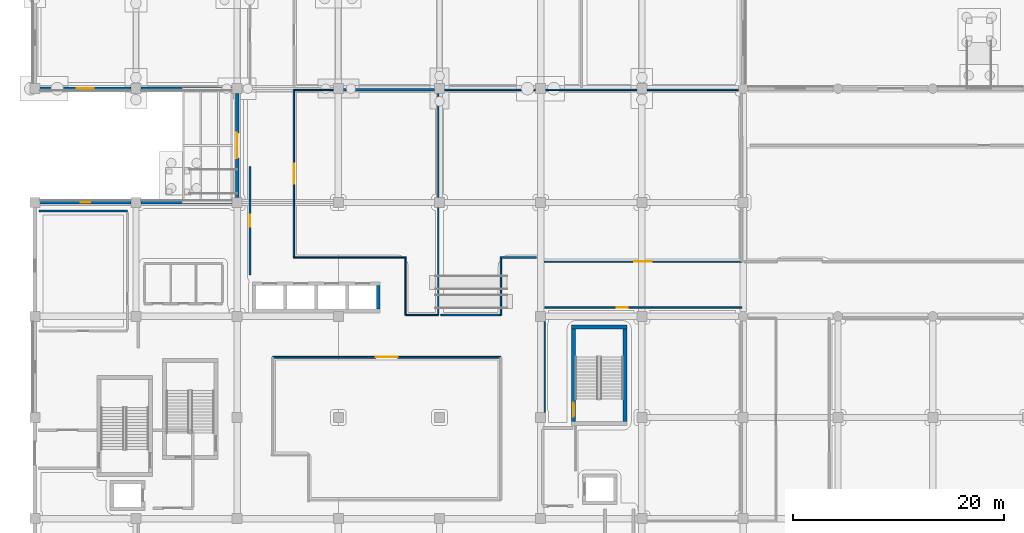
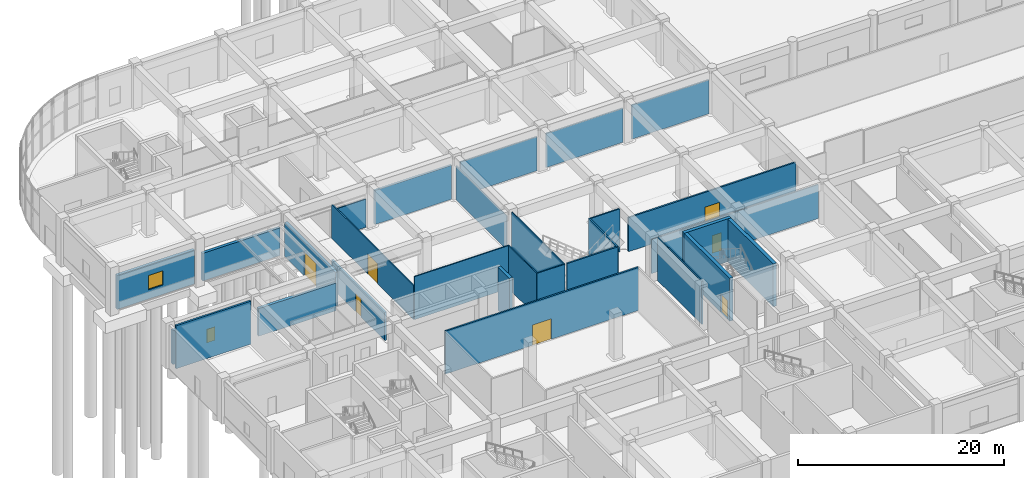
# One storey, part 30 of 74: 29 walls, 7 doors, 2 windows, 9 openings.
"""IFC4 building model written with IfcOpenShell, lengths in metres."""

from ifc_helpers import new_model, si_unit, direction, frame, frame_2d, origin, place, context, subcontext, project, spatial, rectangle, extrude, material, layer, layer_set, type_object, element, fill, save


model = new_model("IFC4")

# Units and contexts
model_context = context("Model", 3, precision=1e-05, world=origin(), true_north=direction((0.0, 1.0)))
body_context = subcontext(model_context, "Body", "Model", "MODEL_VIEW")
ifc_project = project(units=[si_unit("LENGTHUNIT", "METRE"), si_unit("AREAUNIT", "SQUARE_METRE"), si_unit("VOLUMEUNIT", "CUBIC_METRE"), si_unit("PLANEANGLEUNIT", "RADIAN"), si_unit("MASSUNIT", "GRAM", prefix="KILO")], contexts=[model_context])

# Site, building, storey
site_placement = place(None, origin())
site = spatial("IfcSite", under=ifc_project, at=site_placement, CompositionType="ELEMENT")
building_placement = place(site_placement, origin())
building = spatial("IfcBuilding", under=site, at=building_placement, Name="Cendralis Terraced Arcade", CompositionType="ELEMENT")
storey_placement = place(building_placement, origin())
storey = spatial("IfcBuildingStorey", under=building, at=storey_placement, Name="L00", CompositionType="ELEMENT", Elevation=0.0)

# Wall, opening, door
ifc_material_1 = material(Name="Gypsum plasterboard acoustic partition", Category="concrete")
ifc_layer_1 = layer(ifc_material_1, 0.205078125, Name="WL-ACOU-205")
ifc_layer_set_1 = layer_set([ifc_layer_1], Name="Gypsum plasterboard acoustic partition")
wall_type_1 = type_object("IfcWallType", Name="WL-ACOU-205", PredefinedType="PARTITIONING", material=ifc_layer_set_1)
wall_1_placement = place(storey_placement, frame((20.419921875, 52.618408203125, 0.0), z_axis=(0.0, 0.0, 1.0), x_axis=(0.0, -1.0, 0.0)))
wall_1 = element("IfcWall", 1, at=wall_1_placement, inside=storey, type_object=wall_type_1, Name="Interior Partition Wall IW-L00-0207", PredefinedType="PARTITIONING", context=body_context, shape_type="SweptSolid", body=[
    extrude(rectangle(XDim=10.3134765625, YDim=0.205078125, at=frame_2d((5.15673828125, 0.0))), origin(), (0.0, 0.0, 1.0), 3.330078125),
])
opening_1_placement = place(wall_1_placement, frame((4.5966796875, 0.0, 0.0)))
opening_1 = element("IfcOpeningElement", 2, at=opening_1_placement, cuts=wall_1, Name="Opening D-L00-063", PredefinedType="OPENING", context=body_context, shape_type="SweptSolid", body=[
    extrude(rectangle(XDim=1.1201171875, YDim=2.179931640625, at=frame_2d((0.56005859375, 1.08984375))), frame((0.0, 0.114501953125, 0.0), z_axis=(0.0, -1.0, 0.0), x_axis=(1.0, 0.0, 0.0)), (0.0, 0.0, 1.0), 0.22900390625),
])
ifc_material_2 = material(Name="Solid core Andean oak veneer door leaf", Category="aluminium")
door_type_1 = type_object("IfcDoorType", Name="ID-RM-1120x2180", OperationType="NOTDEFINED", PredefinedType="DOOR", material=ifc_material_2)
door_1_placement = place(opening_1_placement, origin())
door_1 = element("IfcDoor", 3, at=door_1_placement, inside=storey, type_object=door_type_1, Name="Cosmetics and Perfumery Sales Floor Door D-L00-063", OperationType="SINGLE_SWING_RIGHT", OverallHeight=2.179931640625, OverallWidth=1.1201171875, PredefinedType="DOOR", context=body_context, shape_type="SweptSolid", body=[
    extrude(rectangle(XDim=1.1201171875, YDim=2.179931640625, at=frame_2d((0.56005859375, 1.08984375))), frame((0.0, 0.02490234375, 0.0), z_axis=(0.0, -1.0, 0.0), x_axis=(1.0, 0.0, 0.0)), (0.0, 0.0, 1.0), 0.050048828125),
])
fill(opening_1, door_1)

# Walls
ifc_material_3 = material(Name="Autoclaved aerated concrete blockwork", Category="masonry")
ifc_layer_2 = layer(ifc_material_3, 0.22802734375, Name="WL-ACOU-228")
ifc_layer_set_2 = layer_set([ifc_layer_2], Name="Autoclaved aerated concrete blockwork")
wall_type_2 = type_object("IfcWallType", Name="WL-ACOU-228", PredefinedType="PARTITIONING", material=ifc_layer_set_2)
wall_2_placement = place(storey_placement, frame((29.294921875, 59.8798828125, 0.0), z_axis=(0.0, 0.0, 1.0), x_axis=(1.0, 0.0, 0.0)))
element("IfcWall", 4, at=wall_2_placement, inside=storey, type_object=wall_type_2, Name="Interior Partition Wall IW-L00-0206", PredefinedType="PARTITIONING", context=body_context, shape_type="SweptSolid", body=[
    extrude(rectangle(XDim=8.610107421875, YDim=0.22802734375, at=frame_2d((4.30517578125, 0.0))), origin(), (0.0, 0.0, 1.0), 4.030029296875),
])
ifc_material_4 = material(Name="Concrete f'c 42 MPa", Category="concrete")
ifc_layer_3 = layer(ifc_material_4, 0.340087890625, Name="WL-CORE-340")
ifc_layer_set_3 = layer_set([ifc_layer_3], Name="Concrete f'c 42 MPa")
wall_type_3 = type_object("IfcWallType", Name="WL-CORE-340", PredefinedType="SHEAR", material=ifc_layer_set_3)
wall_3_placement = place(storey_placement, frame((32.590087890625, 39.074951171875, 0.0), z_axis=(0.0, 0.0, 1.0), x_axis=(0.0, 1.0, 0.0)))
element("IfcWall", 5, at=wall_3_placement, inside=storey, type_object=wall_type_3, Name="Lift PL-04 Reinforced Concrete Shaft Wall (L00)", PredefinedType="SHEAR", context=body_context, shape_type="SweptSolid", body=[
    extrude(rectangle(XDim=2.25, YDim=0.340087890625, at=frame_2d((1.125, 0.0))), origin(), (0.0, 0.0, 1.0), 5.090087890625),
])
ifc_layer_4 = layer(ifc_material_4, 0.3798828125, Name="WL-CORE-380")
ifc_layer_set_4 = layer_set([ifc_layer_4], Name="Concrete f'c 42 MPa")
wall_type_4 = type_object("IfcWallType", Name="WL-CORE-380", PredefinedType="SHEAR", material=ifc_layer_set_4)
wall_4_placement = place(storey_placement, frame((50.919921875, 37.389892578125, 0.0), z_axis=(0.0, 0.0, 1.0), x_axis=(1.0, 0.0, 0.0)))
element("IfcWall", 6, at=wall_4_placement, inside=storey, type_object=wall_type_4, Name="Stair Core Reinforced Concrete Shear Wall SW-ST-04-L00-N", PredefinedType="SHEAR", context=body_context, shape_type="SweptSolid", body=[
    extrude(rectangle(XDim=5.260009765625, YDim=0.3798828125, at=frame_2d((2.6298828125, 0.0))), origin(), (0.0, 0.0, 1.0), 5.090087890625),
])
wall_5_placement = place(storey_placement, frame((55.989990234375, 28.39990234375, 0.0), z_axis=(0.0, 0.0, 1.0), x_axis=(0.0, 1.0, 0.0)))
element("IfcWall", 7, at=wall_5_placement, inside=storey, type_object=wall_type_4, Name="Stair Core Reinforced Concrete Shear Wall SW-ST-04-L00-E", PredefinedType="SHEAR", context=body_context, shape_type="SweptSolid", body=[
    extrude(rectangle(XDim=8.800048828125, YDim=0.3798828125, at=frame_2d((4.39990234375, 0.0))), origin(), (0.0, 0.0, 1.0), 5.090087890625),
])

# Wall, opening, door
wall_6_placement = place(storey_placement, frame((51.110107421875, 28.39990234375, 0.0), z_axis=(0.0, 0.0, 1.0), x_axis=(0.0, 1.0, 0.0)))
wall_6 = element("IfcWall", 8, at=wall_6_placement, inside=storey, type_object=wall_type_4, Name="Stair Core Reinforced Concrete Shear Wall SW-ST-04-L00-W", PredefinedType="SHEAR", context=body_context, shape_type="SweptSolid", body=[
    extrude(rectangle(XDim=8.800048828125, YDim=0.3798828125, at=frame_2d((4.39990234375, 0.0))), origin(), (0.0, 0.0, 1.0), 5.090087890625),
])
opening_2_placement = place(wall_6_placement, frame((0.449951171875, 0.0, 0.0)))
opening_2 = element("IfcOpeningElement", 9, at=opening_2_placement, cuts=wall_6, Name="Opening D-ST-04-L00", PredefinedType="OPENING", context=body_context, shape_type="SweptSolid", body=[
    extrude(rectangle(XDim=1.35009765625, YDim=2.199951171875, at=frame_2d((0.675048828125, 1.10009765625))), frame((0.0, 0.201904296875, 0.0), z_axis=(0.0, -1.0, 0.0), x_axis=(1.0, 0.0, 0.0)), (0.0, 0.0, 1.0), 0.40380859375),
])
ifc_material_5 = material(Name="Galvanised fire-rated steel door assembly", Category="steel")
door_type_2 = type_object("IfcDoorType", Name="ID-ST-1350x2200", OperationType="NOTDEFINED", PredefinedType="DOOR", material=ifc_material_5)
door_2_placement = place(opening_2_placement, frame((1.35009765625, 0.0, 0.0), z_axis=(0.0, 0.0, 1.0), x_axis=(-1.0, 0.0, 0.0)))
door_2 = element("IfcDoor", 10, at=door_2_placement, inside=storey, type_object=door_type_2, Name="Protected Stair ST-04 Fire Door (L00)", OperationType="SINGLE_SWING_RIGHT", OverallHeight=2.199951171875, OverallWidth=1.35009765625, PredefinedType="DOOR", context=body_context, shape_type="SweptSolid", body=[
    extrude(rectangle(XDim=1.35009765625, YDim=2.199951171875, at=frame_2d((0.675048828125, 1.10009765625))), frame((0.0, 0.02490234375, 0.0), z_axis=(0.0, -1.0, 0.0), x_axis=(1.0, 0.0, 0.0)), (0.0, 0.0, 1.0), 0.050048828125),
])
fill(opening_2, door_2)

# Wall, opening, window
ifc_material_6 = material(Name="Precast concrete f'c 40 MPa", Category="concrete")
ifc_layer_5 = layer(ifc_material_6, 0.320068359375, Name="WL-EXT-GRC-320")
ifc_layer_set_5 = layer_set([ifc_layer_5], Name="Precast concrete f'c 40 MPa")
wall_type_5 = type_object("IfcWallType", Name="WL-EXT-GRC-320", PredefinedType="SOLIDWALL", material=ifc_layer_set_5)
wall_7_placement = place(storey_placement, frame((0.472900390625, 49.199951171875, 0.0), z_axis=(0.0, 0.0, 1.0), x_axis=(1.0, 0.0, 0.0)))
wall_7 = element("IfcWall", 11, at=wall_7_placement, inside=storey, type_object=wall_type_5, Name="Exterior Architectural Wall EW-L00-0020", PredefinedType="SOLIDWALL", context=body_context, shape_type="SweptSolid", body=[
    extrude(rectangle(XDim=8.654052734375, YDim=0.320068359375, at=frame_2d((4.3271484375, 0.0))), origin(), (0.0, 0.0, 1.0), 4.030029296875),
])
opening_3_placement = place(wall_7_placement, frame((3.876953125, 0.0, 1.14990234375)))
opening_3 = element("IfcOpeningElement", 12, at=opening_3_placement, cuts=wall_7, Name="Opening W-24", PredefinedType="OPENING", context=body_context, shape_type="SweptSolid", body=[
    extrude(rectangle(XDim=0.89990234375, YDim=1.60009765625, at=frame_2d((0.449951171875, 0.800048828125))), frame((0.0, 0.171875, 0.0), z_axis=(0.0, -1.0, 0.0), x_axis=(1.0, 0.0, 0.0)), (0.0, 0.0, 1.0), 0.343994140625),
])
ifc_material_7 = material(Name="Tempered solar control laminated glass", Category="glass")
window_type_1 = type_object("IfcWindowType", Name="WN-ST-0900x1600", PartitioningType="SINGLE_PANEL", PredefinedType="WINDOW", material=ifc_material_7)
window_1_placement = place(opening_3_placement, origin())
window_1 = element("IfcWindow", 13, at=window_1_placement, inside=storey, type_object=window_type_1, Name="Exterior Solar-Control Window WN-L00-0009", OverallHeight=1.60009765625, OverallWidth=0.89990234375, PartitioningType="SINGLE_PANEL", PredefinedType="WINDOW", context=body_context, shape_type="SweptSolid", body=[
    extrude(rectangle(XDim=0.89990234375, YDim=1.60009765625, at=frame_2d((0.449951171875, 0.800048828125))), frame((0.0, 0.030029296875, 0.0), z_axis=(0.0, -1.0, 0.0), x_axis=(1.0, 0.0, 0.0)), (0.0, 0.0, 1.0), 0.06005859375),
])
fill(opening_3, window_1)

# Wall
wall_8_placement = place(storey_placement, frame((10.072998046875, 49.199951171875, 0.0), z_axis=(0.0, 0.0, 1.0), x_axis=(1.0, 0.0, 0.0)))
element("IfcWall", 14, at=wall_8_placement, inside=storey, type_object=wall_type_5, Name="Exterior Architectural Wall EW-L00-0021", PredefinedType="SOLIDWALL", context=body_context, shape_type="SweptSolid", body=[
    extrude(rectangle(XDim=8.654052734375, YDim=0.320068359375, at=frame_2d((4.3271484375, 0.0))), origin(), (0.0, 0.0, 1.0), 3.277099609375),
])

# Wall, opening, door
wall_9_placement = place(storey_placement, frame((19.199951171875, 49.675048828125, 0.0), z_axis=(0.0, 0.0, 1.0), x_axis=(0.0, 1.0, 0.0)))
wall_9 = element("IfcWall", 15, at=wall_9_placement, inside=storey, type_object=wall_type_5, Name="Exterior Architectural Wall EW-L00-0022", PredefinedType="SOLIDWALL", context=body_context, shape_type="SweptSolid", body=[
    extrude(rectangle(XDim=9.849853515625, YDim=0.320068359375, at=frame_2d((4.9248046875, 0.0))), origin(), (0.0, 0.0, 1.0), 4.030029296875),
])
opening_4_placement = place(wall_9_placement, frame((3.72509765625, 0.0, 0.0)))
opening_4 = element("IfcOpeningElement", 16, at=opening_4_placement, cuts=wall_9, Name="Opening EX-09", PredefinedType="OPENING", context=body_context, shape_type="SweptSolid", body=[
    extrude(rectangle(XDim=2.39990234375, YDim=2.800048828125, at=frame_2d((1.199951171875, 1.39990234375))), frame((0.0, 0.171875, 0.0), z_axis=(0.0, -1.0, 0.0), x_axis=(1.0, 0.0, 0.0)), (0.0, 0.0, 1.0), 0.343994140625),
])
ifc_material_8 = material(Name="Powder-coated thermally broken aluminium and glass", Category="aluminium")
door_type_3 = type_object("IfcDoorType", Name="ED-PORTAL-2400x2800", OperationType="DOUBLE_DOOR_SINGLE_SWING", PredefinedType="DOOR", material=ifc_material_8)
door_3_placement = place(opening_4_placement, origin())
door_3 = element("IfcDoor", 17, at=door_3_placement, inside=storey, type_object=door_type_3, Name="West Arcade Portal Main Entrance EX-09", OperationType="DOUBLE_DOOR_SINGLE_SWING", OverallHeight=2.800048828125, OverallWidth=2.39990234375, PredefinedType="DOOR", context=body_context, shape_type="SweptSolid", body=[
    extrude(rectangle(XDim=2.39990234375, YDim=2.800048828125, at=frame_2d((1.199951171875, 1.39990234375))), frame((0.0, 0.02490234375, 0.0), z_axis=(0.0, -1.0, 0.0), x_axis=(1.0, 0.0, 0.0)), (0.0, 0.0, 1.0), 0.050048828125),
])
fill(opening_4, door_3)

# Wall
wall_10_placement = place(storey_placement, frame((18.72705078125, 60.0, 0.0), z_axis=(0.0, 0.0, 1.0), x_axis=(-1.0, 0.0, 0.0)))
element("IfcWall", 18, at=wall_10_placement, inside=storey, type_object=wall_type_5, Name="Exterior Architectural Wall EW-L00-0023", PredefinedType="SOLIDWALL", context=body_context, shape_type="SweptSolid", body=[
    extrude(rectangle(XDim=8.654052734375, YDim=0.320068359375, at=frame_2d((4.3271484375, 0.0))), origin(), (0.0, 0.0, 1.0), 3.277099609375),
])

# Wall, opening, window
wall_11_placement = place(storey_placement, frame((9.126953125, 60.0, 0.0), z_axis=(0.0, 0.0, 1.0), x_axis=(-1.0, 0.0, 0.0)))
wall_11 = element("IfcWall", 19, at=wall_11_placement, inside=storey, type_object=wall_type_5, Name="Exterior Architectural Wall EW-L00-0024", PredefinedType="SOLIDWALL", context=body_context, shape_type="SweptSolid", body=[
    extrude(rectangle(XDim=8.654052734375, YDim=0.320068359375, at=frame_2d((4.3271484375, 0.0))), origin(), (0.0, 0.0, 1.0), 4.030029296875),
])
opening_5_placement = place(wall_11_placement, frame((3.527099609375, 0.0, 1.10009765625)))
opening_5 = element("IfcOpeningElement", 20, at=opening_5_placement, cuts=wall_11, Name="Opening W-28", PredefinedType="OPENING", context=body_context, shape_type="SweptSolid", body=[
    extrude(rectangle(XDim=1.60009765625, YDim=1.699951171875, at=frame_2d((0.800048828125, 0.85009765625))), frame((0.0, 0.171875, 0.0), z_axis=(0.0, -1.0, 0.0), x_axis=(1.0, 0.0, 0.0)), (0.0, 0.0, 1.0), 0.343994140625),
])
window_type_2 = type_object("IfcWindowType", Name="WN-F3-1600x1700", PartitioningType="SINGLE_PANEL", PredefinedType="WINDOW", material=ifc_material_7)
window_2_placement = place(opening_5_placement, origin())
window_2 = element("IfcWindow", 21, at=window_2_placement, inside=storey, type_object=window_type_2, Name="Exterior Solar-Control Window WN-L00-0010", OverallHeight=1.699951171875, OverallWidth=1.60009765625, PartitioningType="SINGLE_PANEL", PredefinedType="WINDOW", context=body_context, shape_type="SweptSolid", body=[
    extrude(rectangle(XDim=1.60009765625, YDim=1.699951171875, at=frame_2d((0.800048828125, 0.85009765625))), frame((0.0, 0.030029296875, 0.0), z_axis=(0.0, -1.0, 0.0), x_axis=(1.0, 0.0, 0.0)), (0.0, 0.0, 1.0), 0.06005859375),
])
fill(opening_5, window_2)

# Walls
ifc_layer_6 = layer(ifc_material_3, 0.215087890625, Name="WL-FIRE-215")
ifc_layer_set_6 = layer_set([ifc_layer_6], Name="Autoclaved aerated concrete blockwork")
wall_type_6 = type_object("IfcWallType", Name="WL-FIRE-215", PredefinedType="PARTITIONING", material=ifc_layer_set_6)
wall_12_placement = place(storey_placement, frame((0.39990234375, 48.39990234375, 0.0), z_axis=(0.0, 0.0, 1.0), x_axis=(1.0, 0.0, 0.0)))
element("IfcWall", 22, at=wall_12_placement, inside=storey, type_object=wall_type_6, Name="Fire Command Room 2-Hour Rated Wall N", PredefinedType="PARTITIONING", context=body_context, shape_type="SweptSolid", body=[
    extrude(rectangle(XDim=8.400146484375, YDim=0.215087890625, at=frame_2d((4.2001953125, 0.0))), origin(), (0.0, 0.0, 1.0), 5.090087890625),
])
ifc_layer_7 = layer(ifc_material_1, 0.10791015625, Name="WL-PART-108")
ifc_layer_set_7 = layer_set([ifc_layer_7], Name="Gypsum plasterboard acoustic partition")
wall_type_7 = type_object("IfcWallType", Name="WL-PART-108", PredefinedType="PARTITIONING", material=ifc_layer_set_7)
wall_13_placement = place(storey_placement, frame((38.280029296875, 59.5048828125, 0.0), z_axis=(0.0, 0.0, 1.0), x_axis=(0.0, -1.0, 0.0)))
element("IfcWall", 23, at=wall_13_placement, inside=storey, type_object=wall_type_7, Name="Interior Partition Wall IW-L00-0205", PredefinedType="PARTITIONING", context=body_context, shape_type="SweptSolid", body=[
    extrude(rectangle(XDim=9.809814453125, YDim=0.10791015625, at=frame_2d((4.90478515625, 0.0))), origin(), (0.0, 0.0, 1.0), 4.030029296875),
])
ifc_layer_8 = layer(ifc_material_1, 0.112060546875, Name="WL-PART-112")
ifc_layer_set_8 = layer_set([ifc_layer_8], Name="Gypsum plasterboard acoustic partition")
wall_type_8 = type_object("IfcWallType", Name="WL-PART-112", PredefinedType="PARTITIONING", material=ifc_layer_set_8)
wall_14_placement = place(storey_placement, frame((38.280029296875, 48.705078125, 0.0), z_axis=(0.0, 0.0, 1.0), x_axis=(0.0, -1.0, 0.0)))
element("IfcWall", 24, at=wall_14_placement, inside=storey, type_object=wall_type_8, Name="Interior Partition Wall IW-L00-0204", PredefinedType="PARTITIONING", context=body_context, shape_type="SweptSolid", body=[
    extrude(rectangle(XDim=10.18505859375, YDim=0.112060546875, at=frame_2d((5.092529296875, 0.0))), origin(), (0.0, 0.0, 1.0), 5.090087890625),
])
ifc_layer_9 = layer(ifc_material_1, 0.114990234375, Name="WL-PART-115")
ifc_layer_set_9 = layer_set([ifc_layer_9], Name="Gypsum plasterboard acoustic partition")
wall_type_9 = type_object("IfcWallType", Name="WL-PART-115", PredefinedType="PARTITIONING", material=ifc_layer_set_9)
wall_15_placement = place(storey_placement, frame((38.280029296875, 38.52001953125, 0.0), z_axis=(0.0, 0.0, 1.0), x_axis=(-1.0, 0.0, 0.0)))
element("IfcWall", 25, at=wall_15_placement, inside=storey, type_object=wall_type_9, Name="Interior Partition Wall IW-L00-0203", PredefinedType="PARTITIONING", context=body_context, shape_type="SweptSolid", body=[
    extrude(rectangle(XDim=3.10009765625, YDim=0.114990234375, at=frame_2d((1.550048828125, 0.0))), origin(), (0.0, 0.0, 1.0), 5.090087890625),
])
ifc_layer_10 = layer(ifc_material_1, 0.117919921875, Name="WL-PART-118")
ifc_layer_set_10 = layer_set([ifc_layer_10], Name="Gypsum plasterboard acoustic partition")
wall_type_10 = type_object("IfcWallType", Name="WL-PART-118", PredefinedType="PARTITIONING", material=ifc_layer_set_10)
wall_16_placement = place(storey_placement, frame((24.580078125, 59.8798828125, 0.0), z_axis=(0.0, 0.0, 1.0), x_axis=(1.0, 0.0, 0.0)))
element("IfcWall", 26, at=wall_16_placement, inside=storey, type_object=wall_type_10, Name="Interior Partition Wall IW-L00-0202", PredefinedType="PARTITIONING", context=body_context, shape_type="SweptSolid", body=[
    extrude(rectangle(XDim=3.724853515625, YDim=0.117919921875, at=frame_2d((1.8623046875, 0.0))), origin(), (0.0, 0.0, 1.0), 3.330078125),
])
ifc_layer_11 = layer(ifc_material_1, 0.1220703125, Name="WL-PART-122")
ifc_layer_set_11 = layer_set([ifc_layer_11], Name="Gypsum plasterboard acoustic partition")
wall_type_11 = type_object("IfcWallType", Name="WL-PART-122", PredefinedType="PARTITIONING", material=ifc_layer_set_11)
wall_17_placement = place(storey_placement, frame((35.179931640625, 38.52001953125, 0.0), z_axis=(0.0, 0.0, 1.0), x_axis=(0.0, 1.0, 0.0)))
element("IfcWall", 27, at=wall_17_placement, inside=storey, type_object=wall_type_11, Name="Interior Partition Wall IW-L00-0201", PredefinedType="PARTITIONING", context=body_context, shape_type="SweptSolid", body=[
    extrude(rectangle(XDim=5.39697265625, YDim=0.1220703125, at=frame_2d((2.698486328125, 0.0))), origin(), (0.0, 0.0, 1.0), 5.090087890625),
])
ifc_layer_12 = layer(ifc_material_1, 0.1259765625, Name="WL-PART-126")
ifc_layer_set_12 = layer_set([ifc_layer_12], Name="Gypsum plasterboard acoustic partition")
wall_type_12 = type_object("IfcWallType", Name="WL-PART-126", PredefinedType="PARTITIONING", material=ifc_layer_set_12)
wall_18_placement = place(storey_placement, frame((35.240966796875, 43.97998046875, 0.0), z_axis=(0.0, 0.0, 1.0), x_axis=(-1.0, 0.0, 0.0)))
element("IfcWall", 28, at=wall_18_placement, inside=storey, type_object=wall_type_12, Name="Interior Partition Wall IW-L00-0200", PredefinedType="PARTITIONING", context=body_context, shape_type="SweptSolid", body=[
    extrude(rectangle(XDim=10.660888671875, YDim=0.1259765625, at=frame_2d((5.33056640625, 0.0))), origin(), (0.0, 0.0, 1.0), 5.090087890625),
])
wall_19_placement = place(storey_placement, frame((48.3798828125, 29.294921875, 0.0), z_axis=(0.0, 0.0, 1.0), x_axis=(0.0, 1.0, 0.0)))
element("IfcWall", 29, at=wall_19_placement, inside=storey, type_object=wall_type_12, Name="Interior Partition Wall IW-L00-0221", PredefinedType="PARTITIONING", context=body_context, shape_type="SweptSolid", body=[
    extrude(rectangle(XDim=8.610107421875, YDim=0.1259765625, at=frame_2d((4.30517578125, 0.0))), origin(), (0.0, 0.0, 1.0), 5.090087890625),
])

# Wall, opening, door
ifc_layer_13 = layer(ifc_material_1, 0.1298828125, Name="WL-PART-130")
ifc_layer_set_13 = layer_set([ifc_layer_13], Name="Gypsum plasterboard acoustic partition")
wall_type_13 = type_object("IfcWallType", Name="WL-PART-130", PredefinedType="PARTITIONING", material=ifc_layer_set_13)
wall_20_placement = place(storey_placement, frame((24.580078125, 43.97998046875, 0.0), z_axis=(0.0, 0.0, 1.0), x_axis=(0.0, 1.0, 0.0)))
wall_20 = element("IfcWall", 30, at=wall_20_placement, inside=storey, type_object=wall_type_13, Name="Interior Partition Wall IW-L00-0199", PredefinedType="PARTITIONING", context=body_context, shape_type="SweptSolid", body=[
    extrude(rectangle(XDim=15.89990234375, YDim=0.1298828125, at=frame_2d((7.949951171875, 0.0))), origin(), (0.0, 0.0, 1.0), 4.030029296875),
])
opening_6_placement = place(wall_20_placement, frame((6.989990234375, 0.0, 0.0)))
opening_6 = element("IfcOpeningElement", 31, at=opening_6_placement, cuts=wall_20, Name="Opening D-L00-061", PredefinedType="OPENING", context=body_context, shape_type="SweptSolid", body=[
    extrude(rectangle(XDim=1.919921875, YDim=2.3798828125, at=frame_2d((0.9599609375, 1.18994140625))), frame((0.0, 0.076904296875, 0.0), z_axis=(0.0, -1.0, 0.0), x_axis=(1.0, 0.0, 0.0)), (0.0, 0.0, 1.0), 0.15380859375),
])
door_type_4 = type_object("IfcDoorType", Name="ID-DEP-1920x2380", OperationType="DOUBLE_DOOR_SINGLE_SWING", PredefinedType="DOOR", material=ifc_material_2)
door_4_placement = place(opening_6_placement, origin())
door_4 = element("IfcDoor", 32, at=door_4_placement, inside=storey, type_object=door_type_4, Name="Cosmetics and Perfumery Sales Floor Door D-L00-061", OperationType="DOUBLE_DOOR_SINGLE_SWING", OverallHeight=2.3798828125, OverallWidth=1.919921875, PredefinedType="DOOR", context=body_context, shape_type="SweptSolid", body=[
    extrude(rectangle(XDim=1.919921875, YDim=2.3798828125, at=frame_2d((0.9599609375, 1.18994140625))), frame((0.0, 0.02490234375, 0.0), z_axis=(0.0, -1.0, 0.0), x_axis=(1.0, 0.0, 0.0)), (0.0, 0.0, 1.0), 0.050048828125),
])
fill(opening_6, door_4)

wall_21_placement = place(storey_placement, frame((48.3798828125, 39.219970703125, 0.0), z_axis=(0.0, 0.0, 1.0), x_axis=(1.0, 0.0, 0.0)))
wall_21 = element("IfcWall", 33, at=wall_21_placement, inside=storey, type_object=wall_type_13, Name="Interior Partition Wall IW-L00-0220", PredefinedType="PARTITIONING", context=body_context, shape_type="SweptSolid", body=[
    extrude(rectangle(XDim=18.7001953125, YDim=0.1298828125, at=frame_2d((9.35009765625, 0.0))), origin(), (0.0, 0.0, 1.0), 4.030029296875),
])
opening_7_placement = place(wall_21_placement, frame((6.824951171875, 0.0, 0.0)))
opening_7 = element("IfcOpeningElement", 34, at=opening_7_placement, cuts=wall_21, Name="Opening D-L00-066", PredefinedType="OPENING", context=body_context, shape_type="SweptSolid", body=[
    extrude(rectangle(XDim=1.050048828125, YDim=2.10009765625, at=frame_2d((0.52490234375, 1.050048828125))), frame((0.0, 0.076904296875, 0.0), z_axis=(0.0, -1.0, 0.0), x_axis=(1.0, 0.0, 0.0)), (0.0, 0.0, 1.0), 0.15380859375),
])
door_type_5 = type_object("IfcDoorType", Name="ID-RM-1050x2100", OperationType="NOTDEFINED", PredefinedType="DOOR", material=ifc_material_2)
door_5_placement = place(opening_7_placement, origin())
door_5 = element("IfcDoor", 35, at=door_5_placement, inside=storey, type_object=door_type_5, Name="Luxury Leather and Accessories Sales Floor Door D-L00-066", OperationType="SINGLE_SWING_RIGHT", OverallHeight=2.10009765625, OverallWidth=1.050048828125, PredefinedType="DOOR", context=body_context, shape_type="SweptSolid", body=[
    extrude(rectangle(XDim=1.050048828125, YDim=2.10009765625, at=frame_2d((0.52490234375, 1.050048828125))), frame((0.0, 0.02490234375, 0.0), z_axis=(0.0, -1.0, 0.0), x_axis=(1.0, 0.0, 0.0)), (0.0, 0.0, 1.0), 0.050048828125),
])
fill(opening_7, door_5)

# Walls
ifc_layer_14 = layer(ifc_material_1, 0.137939453125, Name="WL-PART-138")
ifc_layer_set_14 = layer_set([ifc_layer_14], Name="Gypsum plasterboard acoustic partition")
wall_type_14 = type_object("IfcWallType", Name="WL-PART-138", PredefinedType="PARTITIONING", material=ifc_layer_set_14)
wall_22_placement = place(storey_placement, frame((48.4951171875, 59.8798828125, 0.0), z_axis=(0.0, 0.0, 1.0), x_axis=(1.0, 0.0, 0.0)))
element("IfcWall", 36, at=wall_22_placement, inside=storey, type_object=wall_type_14, Name="Interior Partition Wall IW-L00-0219", PredefinedType="PARTITIONING", context=body_context, shape_type="SweptSolid", body=[
    extrude(rectangle(XDim=8.60986328125, YDim=0.137939453125, at=frame_2d((4.304931640625, 0.0))), origin(), (0.0, 0.0, 1.0), 4.030029296875),
])
ifc_layer_15 = layer(ifc_material_1, 0.14208984375, Name="WL-PART-142")
ifc_layer_set_15 = layer_set([ifc_layer_15], Name="Gypsum plasterboard acoustic partition")
wall_type_15 = type_object("IfcWallType", Name="WL-PART-142", PredefinedType="PARTITIONING", material=ifc_layer_set_15)
wall_23_placement = place(storey_placement, frame((38.89501953125, 59.8798828125, 0.0), z_axis=(0.0, 0.0, 1.0), x_axis=(1.0, 0.0, 0.0)))
element("IfcWall", 37, at=wall_23_placement, inside=storey, type_object=wall_type_15, Name="Interior Partition Wall IW-L00-0218", PredefinedType="PARTITIONING", context=body_context, shape_type="SweptSolid", body=[
    extrude(rectangle(XDim=8.60986328125, YDim=0.14208984375, at=frame_2d((4.304931640625, 0.0))), origin(), (0.0, 0.0, 1.0), 4.030029296875),
])
ifc_layer_16 = layer(ifc_material_1, 0.14501953125, Name="WL-PART-145")
ifc_layer_set_16 = layer_set([ifc_layer_16], Name="Gypsum plasterboard acoustic partition")
wall_type_16 = type_object("IfcWallType", Name="WL-PART-145", PredefinedType="PARTITIONING", material=ifc_layer_set_16)
wall_24_placement = place(storey_placement, frame((58.094970703125, 59.8798828125, 0.0), z_axis=(0.0, 0.0, 1.0), x_axis=(1.0, 0.0, 0.0)))
element("IfcWall", 38, at=wall_24_placement, inside=storey, type_object=wall_type_16, Name="Interior Partition Wall IW-L00-0217", PredefinedType="PARTITIONING", context=body_context, shape_type="SweptSolid", body=[
    extrude(rectangle(XDim=8.635009765625, YDim=0.14501953125, at=frame_2d((4.3173828125, 0.0))), origin(), (0.0, 0.0, 1.0), 4.030029296875),
])
ifc_layer_17 = layer(ifc_material_1, 0.14990234375, Name="WL-PART-150")
ifc_layer_set_17 = layer_set([ifc_layer_17], Name="Gypsum plasterboard acoustic partition")
wall_type_17 = type_object("IfcWallType", Name="WL-PART-150", PredefinedType="PARTITIONING", material=ifc_layer_set_17)
wall_25_placement = place(storey_placement, frame((47.580810546875, 43.97998046875, 0.0), z_axis=(0.0, 0.0, 1.0), x_axis=(-1.0, 0.0, 0.0)))
element("IfcWall", 39, at=wall_25_placement, inside=storey, type_object=wall_type_17, Name="Interior Partition Wall IW-L00-0216", PredefinedType="PARTITIONING", context=body_context, shape_type="SweptSolid", body=[
    extrude(rectangle(XDim=3.28076171875, YDim=0.14990234375, at=frame_2d((1.640380859375, 0.0))), origin(), (0.0, 0.0, 1.0), 5.090087890625),
])
ifc_layer_18 = layer(ifc_material_1, 0.159912109375, Name="WL-PART-160")
ifc_layer_set_18 = layer_set([ifc_layer_18], Name="Gypsum plasterboard acoustic partition")
wall_type_18 = type_object("IfcWallType", Name="WL-PART-160", PredefinedType="PARTITIONING", material=ifc_layer_set_18)
wall_26_placement = place(storey_placement, frame((44.219970703125, 44.054931640625, 0.0), z_axis=(0.0, 0.0, 1.0), x_axis=(0.0, -1.0, 0.0)))
element("IfcWall", 40, at=wall_26_placement, inside=storey, type_object=wall_type_18, Name="Interior Partition Wall IW-L00-0214", PredefinedType="PARTITIONING", context=body_context, shape_type="SweptSolid", body=[
    extrude(rectangle(XDim=5.534912109375, YDim=0.159912109375, at=frame_2d((2.767578125, 0.0))), origin(), (0.0, 0.0, 1.0), 5.090087890625),
])
ifc_layer_19 = layer(ifc_material_1, 0.175048828125, Name="WL-PART-175")
ifc_layer_set_19 = layer_set([ifc_layer_19], Name="Gypsum plasterboard acoustic partition")
wall_type_19 = type_object("IfcWallType", Name="WL-PART-175", PredefinedType="PARTITIONING", material=ifc_layer_set_19)
wall_27_placement = place(storey_placement, frame((44.219970703125, 38.52001953125, 0.0), z_axis=(0.0, 0.0, 1.0), x_axis=(-1.0, 0.0, 0.0)))
element("IfcWall", 41, at=wall_27_placement, inside=storey, type_object=wall_type_19, Name="Interior Partition Wall IW-L00-0211", PredefinedType="PARTITIONING", context=body_context, shape_type="SweptSolid", body=[
    extrude(rectangle(XDim=5.699951171875, YDim=0.175048828125, at=frame_2d((2.85009765625, 0.0))), origin(), (0.0, 0.0, 1.0), 5.090087890625),
])

# Wall, opening, door
ifc_layer_20 = layer(ifc_material_1, 0.179931640625, Name="WL-PART-180")
ifc_layer_set_20 = layer_set([ifc_layer_20], Name="Gypsum plasterboard acoustic partition")
wall_type_20 = type_object("IfcWallType", Name="WL-PART-180", PredefinedType="PARTITIONING", material=ifc_layer_set_20)
wall_28_placement = place(storey_placement, frame((22.580078125, 34.52001953125, 0.0), z_axis=(0.0, 0.0, 1.0), x_axis=(1.0, 0.0, 0.0)))
wall_28 = element("IfcWall", 42, at=wall_28_placement, inside=storey, type_object=wall_type_20, Name="Interior Partition Wall IW-L00-0190", PredefinedType="PARTITIONING", context=body_context, shape_type="SweptSolid", body=[
    extrude(rectangle(XDim=21.639892578125, YDim=0.179931640625, at=frame_2d((10.81982421875, 0.0))), origin(), (0.0, 0.0, 1.0), 5.090087890625),
])
opening_8_placement = place(wall_28_placement, frame((9.77001953125, 0.0, 0.0)))
opening_8 = element("IfcOpeningElement", 43, at=opening_8_placement, cuts=wall_28, Name="Opening D-L00-059", PredefinedType="OPENING", context=body_context, shape_type="SweptSolid", body=[
    extrude(rectangle(XDim=2.10009765625, YDim=2.419921875, at=frame_2d((1.050048828125, 1.2099609375))), frame((0.0, 0.10205078125, 0.0), z_axis=(0.0, -1.0, 0.0), x_axis=(1.0, 0.0, 0.0)), (0.0, 0.0, 1.0), 0.203857421875),
])
door_type_6 = type_object("IfcDoorType", Name="ID-DEP-2100x2420", OperationType="DOUBLE_DOOR_SINGLE_SWING", PredefinedType="DOOR", material=ifc_material_2)
door_6_placement = place(opening_8_placement, origin())
door_6 = element("IfcDoor", 44, at=door_6_placement, inside=storey, type_object=door_type_6, Name="Central Daylight Atrium Sales Floor Door D-L00-059", OperationType="DOUBLE_DOOR_SINGLE_SWING", OverallHeight=2.419921875, OverallWidth=2.10009765625, PredefinedType="DOOR", context=body_context, shape_type="SweptSolid", body=[
    extrude(rectangle(XDim=2.10009765625, YDim=2.419921875, at=frame_2d((1.050048828125, 1.2099609375))), frame((0.0, 0.02490234375, 0.0), z_axis=(0.0, -1.0, 0.0), x_axis=(1.0, 0.0, 0.0)), (0.0, 0.0, 1.0), 0.050048828125),
])
fill(opening_8, door_6)

wall_29_placement = place(storey_placement, frame((67.080078125, 43.580078125, 0.0), z_axis=(0.0, 0.0, 1.0), x_axis=(-1.0, 0.0, 0.0)))
wall_29 = element("IfcWall", 45, at=wall_29_placement, inside=storey, type_object=wall_type_20, Name="Interior Partition Wall IW-L00-0210", PredefinedType="PARTITIONING", context=body_context, shape_type="SweptSolid", body=[
    extrude(rectangle(XDim=18.773193359375, YDim=0.179931640625, at=frame_2d((9.38671875, 0.0))), origin(), (0.0, 0.0, 1.0), 4.030029296875),
])
opening_9_placement = place(wall_29_placement, frame((8.566650390625, 0.0, 0.0)))
opening_9 = element("IfcOpeningElement", 46, at=opening_9_placement, cuts=wall_29, Name="Opening D-L00-065", PredefinedType="OPENING", context=body_context, shape_type="SweptSolid", body=[
    extrude(rectangle(XDim=1.639892578125, YDim=2.280029296875, at=frame_2d((0.81982421875, 1.14013671875))), frame((0.0, 0.10205078125, 0.0), z_axis=(0.0, -1.0, 0.0), x_axis=(1.0, 0.0, 0.0)), (0.0, 0.0, 1.0), 0.203857421875),
])
door_type_7 = type_object("IfcDoorType", Name="ID-DEP-1640x2280", OperationType="DOUBLE_DOOR_SINGLE_SWING", PredefinedType="DOOR", material=ifc_material_2)
door_7_placement = place(opening_9_placement, origin())
door_7 = element("IfcDoor", 47, at=door_7_placement, inside=storey, type_object=door_type_7, Name="Luxury Leather and Accessories Sales Floor Door D-L00-065", OperationType="DOUBLE_DOOR_SINGLE_SWING", OverallHeight=2.280029296875, OverallWidth=1.639892578125, PredefinedType="DOOR", context=body_context, shape_type="SweptSolid", body=[
    extrude(rectangle(XDim=1.639892578125, YDim=2.280029296875, at=frame_2d((0.81982421875, 1.14013671875))), frame((0.0, 0.02490234375, 0.0), z_axis=(0.0, -1.0, 0.0), x_axis=(1.0, 0.0, 0.0)), (0.0, 0.0, 1.0), 0.050048828125),
])
fill(opening_9, door_7)

save(model, "model.ifc")
